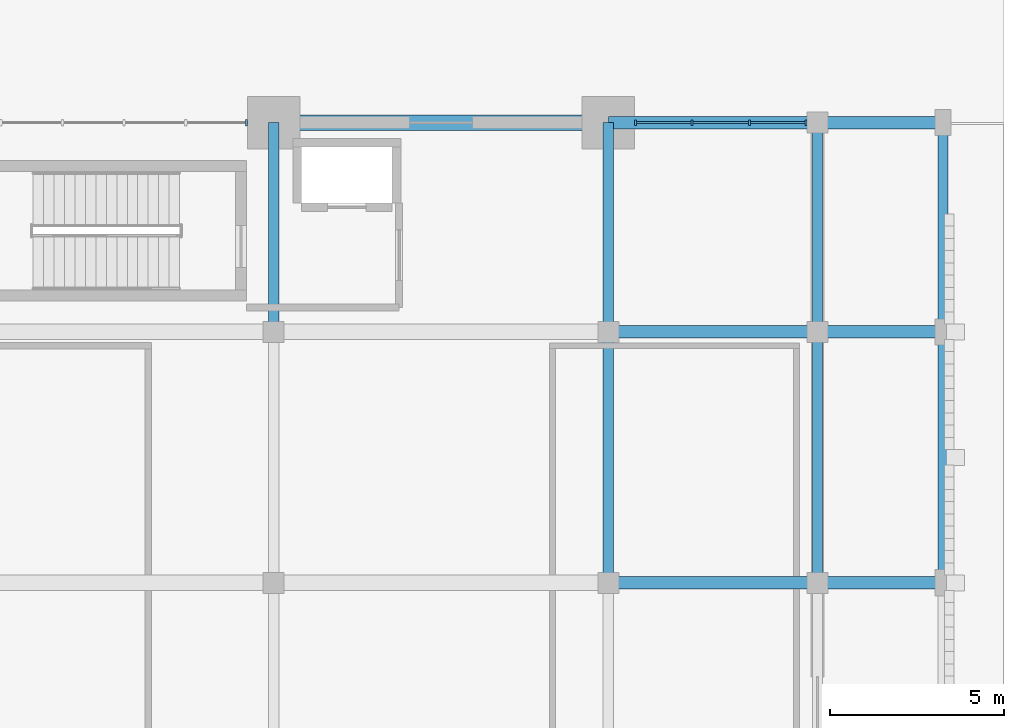
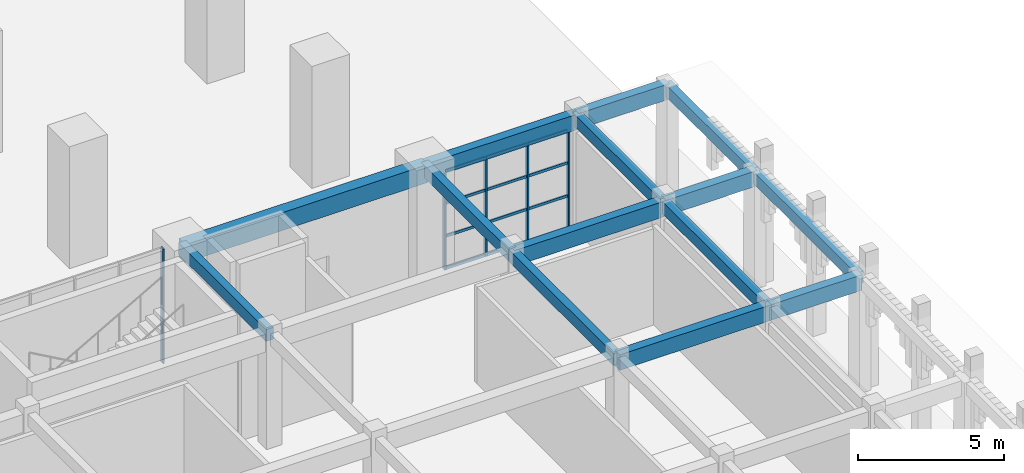
# One storey, part 20 of 72: 17 members, 14 beams, 2 elements without a shape of their own.
"""IFC4 building model written with IfcOpenShell, lengths in metres."""

import ifcopenshell
import ifcopenshell.guid

model = None  # the IFC model being written
_history = None  # IfcOwnerHistory: only IFC2X3 demands one
_inside = {}  # id of a spatial element -> (the spatial element, [elements in it])
_under = {}  # id of a project, library or spatial element -> (it, [spatial elements below it])
_declared = {}  # id of a project -> (the project, [libraries it declares])
_typed = {}  # id of a type object -> (the type object, [elements of that type])
_made_of = {}  # id of a material, layer set ... -> (it, [elements and type objects made of it])


def new_model(schema):
    """Start an empty IFC model of exactly this schema.

    Asked for "IFC4X3", IfcOpenShell would pick the latest addendum, in which some entities
    have other attributes; the version numbers below select the first issue.
    IFC2X3 requires an IfcOwnerHistory on every rooted entity: one is made here for all.
    """
    global model, _history
    if schema == "IFC4X3":
        model = ifcopenshell.file(schema_version=(4, 3, 0, 0))
    else:
        model = ifcopenshell.file(schema=schema)
    _inside.clear()
    _under.clear()
    _declared.clear()
    _typed.clear()
    _made_of.clear()
    _history = None
    if model.schema == "IFC2X3":
        org = make("IfcOrganization", Name="unknown")
        user = make(
            "IfcPersonAndOrganization",
            ThePerson=make("IfcPerson", FamilyName="unknown"),
            TheOrganization=org,
        )
        app = make(
            "IfcApplication",
            ApplicationDeveloper=org,
            Version="unknown",
            ApplicationFullName="unknown",
            ApplicationIdentifier="unknown",
        )
        _history = make(
            "IfcOwnerHistory",
            OwningUser=user,
            OwningApplication=app,
            ChangeAction="ADDED",
            CreationDate=0,
        )
    return model


def make(cls, **values):
    """One entity of the class cls with the attributes given. An attribute that is None is left unset."""
    return model.create_entity(
        cls, **{name: value for name, value in values.items() if value is not None}
    )


def rooted(cls, **values):
    """An entity with a GlobalId (a new one), such as an element, a storey or a relation."""
    return make(cls, GlobalId=ifcopenshell.guid.new(), OwnerHistory=_history, **values)


def si_unit(unit_type, name, prefix=None):
    """IfcSIUnit, for example si_unit("LENGTHUNIT", "METRE", prefix="MILLI")."""
    return make("IfcSIUnit", UnitType=unit_type, Prefix=prefix, Name=name)


def assignment(units):
    """IfcUnitAssignment: the units of a project."""
    return None if units is None else make("IfcUnitAssignment", Units=units)


def point(xyz):
    """IfcCartesianPoint."""
    return None if xyz is None else make("IfcCartesianPoint", Coordinates=xyz)


def direction(xyz):
    """IfcDirection."""
    return None if xyz is None else make("IfcDirection", DirectionRatios=xyz)


def frame(location, z_axis=None, x_axis=None):
    """IfcAxis2Placement3D, a coordinate frame: its origin and axes. An axis left out is left unset."""
    return make(
        "IfcAxis2Placement3D",
        Location=point(location),
        Axis=direction(z_axis),
        RefDirection=direction(x_axis),
    )


def frame_2d(location, x_axis=None):
    """IfcAxis2Placement2D, a coordinate frame in the plane: its origin and x axis."""
    return make(
        "IfcAxis2Placement2D", Location=point(location), RefDirection=direction(x_axis)
    )


def origin():
    """The frame at (0, 0, 0) with its axes left unset."""
    return frame((0.0, 0.0, 0.0))


def origin_2d():
    """The frame at (0, 0) in the plane with its x axis left unset."""
    return frame_2d((0.0, 0.0))


def place(relative_to, where):
    """IfcLocalPlacement: puts the frame where relative to a parent placement (None: the world)."""
    return make(
        "IfcLocalPlacement", PlacementRelTo=relative_to, RelativePlacement=where
    )


def context(
    kind, dimensions, precision=None, world=None, true_north=None, identifier=None
):
    """IfcGeometricRepresentationContext, for example the 3D "Model" context."""
    return make(
        "IfcGeometricRepresentationContext",
        ContextIdentifier=identifier,
        ContextType=kind,
        CoordinateSpaceDimension=dimensions,
        Precision=precision,
        WorldCoordinateSystem=world,
        TrueNorth=true_north,
    )


def subcontext(parent, identifier, kind, view, scale=None):
    """IfcGeometricRepresentationSubContext, for example "Body" below "Model"."""
    return make(
        "IfcGeometricRepresentationSubContext",
        ContextIdentifier=identifier,
        ContextType=kind,
        ParentContext=parent,
        TargetScale=scale,
        TargetView=view,
    )


def project(units=None, contexts=None):
    """IfcProject with its units and contexts."""
    return rooted(
        "IfcProject",
        Name="project",
        RepresentationContexts=contexts,
        UnitsInContext=assignment(units),
    )


def spatial(cls, under=None, at=None, **own):
    """A site, building, storey or space (cls), placed at a placement, below another one or the project."""
    s = rooted(cls, ObjectPlacement=at, **own)
    if under is not None:
        _under.setdefault(under.id(), (under, []))[1].append(s)
    return s


def profile(cls, at=None, kind="AREA", **sizes):
    """A parametric profile (cls). Its sizes go by their IFC names, for example OverallWidth=200.0."""
    return make(cls, ProfileType=kind, Position=at, **sizes)


def rectangle(**sizes):
    """IfcRectangleProfileDef."""
    return profile("IfcRectangleProfileDef", **sizes)


def extrude(swept, where, along, depth):
    """IfcExtrudedAreaSolid: the profile swept, set in the frame where, extruded along a direction by depth."""
    return make(
        "IfcExtrudedAreaSolid",
        SweptArea=swept,
        Position=where,
        ExtrudedDirection=direction(along),
        Depth=depth,
    )


def shape(context_of_items, identifier, shape_type, items):
    """IfcShapeRepresentation: the items that make up one representation, for example the "Body"."""
    return make(
        "IfcShapeRepresentation",
        ContextOfItems=context_of_items,
        RepresentationIdentifier=identifier,
        RepresentationType=shape_type,
        Items=items,
    )


def material(Name=None, Category=None):
    """IfcMaterial."""
    return make("IfcMaterial", Name=Name, Category=Category)


def material_profile(
    of_material, cross_section, Name=None, Category=None, Priority=None
):
    """IfcMaterialProfile: a cross section and its material."""
    return make(
        "IfcMaterialProfile",
        Name=Name,
        Material=of_material,
        Profile=cross_section,
        Priority=Priority,
        Category=Category,
    )


def profile_set(profiles, Name=None, composite=None):
    """IfcMaterialProfileSet."""
    return make(
        "IfcMaterialProfileSet",
        Name=Name,
        MaterialProfiles=profiles,
        CompositeProfile=composite,
    )


def made_of(thing, what):
    """Note that an element or type object is made of a material, layer set ...; save() writes the relation."""
    if what is not None:
        _made_of.setdefault(what.id(), (what, []))[1].append(thing)
    return thing


def type_object(cls, material=None, **own):
    """A type object (cls), such as IfcWallType, which elements share."""
    return made_of(rooted(cls, **own), material)


def element(
    cls,
    number,
    at=None,
    inside=None,
    cuts=None,
    type_object=None,
    material=None,
    context=None,
    identifier="Body",
    shape_type=None,
    held_by="IfcProductDefinitionShape",
    body=None,
    shapes=None,
    **own,
):
    """One element of the class cls, such as IfcWall. Its Tag is "e" and its number.

    at: its placement. inside: the storey or other place that contains it. cuts: it is an
    opening in that element (IfcRelVoidsElement). A single representation is given by context,
    identifier, shape_type and body (its items); several are given by shapes. held_by: the class
    of the entity that holds the representations. save() writes the other relations.
    """
    e = rooted(cls, Tag="e%d" % number, ObjectPlacement=at, **own)
    if body is not None:
        shapes = [shape(context, identifier, shape_type, body)]
    if shapes is not None:
        e.Representation = make(held_by, Representations=shapes)
    if inside is not None:
        _inside.setdefault(inside.id(), (inside, []))[1].append(e)
    if cuts is not None:
        rooted(
            "IfcRelVoidsElement", RelatingBuildingElement=cuts, RelatedOpeningElement=e
        )
    if type_object is not None:
        _typed.setdefault(type_object.id(), (type_object, []))[1].append(e)
    return made_of(e, material)


def aggregate(whole, parts):
    """IfcRelAggregates: a whole, such as a stair, and the parts it consists of."""
    return rooted("IfcRelAggregates", RelatingObject=whole, RelatedObjects=parts)


def save(model, path):
    """Write the relations noted so far, then the file.

    IfcRelAggregates (storeys below a building ...), IfcRelContainedInSpatialStructure (elements
    in a storey), IfcRelDefinesByType, IfcRelAssociatesMaterial and IfcRelDeclares: one each for
    every whole, place, type object, material and project.
    """
    for whole, parts in _under.values():
        aggregate(whole, parts)
    for where, things in _inside.values():
        rooted(
            "IfcRelContainedInSpatialStructure",
            RelatedElements=things,
            RelatingStructure=where,
        )
    for kind, things in _typed.values():
        rooted("IfcRelDefinesByType", RelatedObjects=things, RelatingType=kind)
    for what, things in _made_of.values():
        rooted("IfcRelAssociatesMaterial", RelatedObjects=things, RelatingMaterial=what)
    for by, libraries in _declared.values():
        rooted("IfcRelDeclares", RelatingContext=by, RelatedDefinitions=libraries)
    model.write(path)


model = new_model("IFC4")

# Units and contexts
model_context = context("Model", 3, precision=1e-05, world=origin(), true_north=direction((0.0, 1.0)))
body_context = subcontext(model_context, "Body", "Model", "MODEL_VIEW")
ifc_project = project(units=[si_unit("LENGTHUNIT", "METRE"), si_unit("AREAUNIT", "SQUARE_METRE"), si_unit("VOLUMEUNIT", "CUBIC_METRE"), si_unit("PLANEANGLEUNIT", "RADIAN"), si_unit("MASSUNIT", "GRAM", prefix="KILO")], contexts=[model_context])

# Site, building, storey
site_placement = place(None, origin())
site = spatial("IfcSite", under=ifc_project, at=site_placement, CompositionType="ELEMENT")
building_placement = place(site_placement, origin())
building = spatial("IfcBuilding", under=site, at=building_placement, Name="Nzembalo Square Collegiate School", CompositionType="ELEMENT")
storey_placement = place(building_placement, origin())
storey = spatial("IfcBuildingStorey", under=building, at=storey_placement, Name="L00", CompositionType="ELEMENT", Elevation=0.0)

# Beams
ifc_material_1 = material(Name="Concrete C35/45", Category="concrete")
ifc_material_profile_1 = material_profile(ifc_material_1, rectangle(XDim=0.35009765625, YDim=0.64990234375, at=origin_2d()), Name="RC 350x650")
ifc_profile_set_1 = profile_set([ifc_material_profile_1], Name="Concrete C35/45")
beam_type_1 = type_object("IfcBeamType", Name="B01", PredefinedType="BEAM", material=ifc_profile_set_1)
beam_1_placement = place(storey_placement, frame((159.60009765625, 37.199951171875, 4.465087890625), z_axis=(1.0, 0.0, 0.0), x_axis=(0.0, 1.0, 0.0)))
element("IfcBeam", 1, at=beam_1_placement, inside=storey, type_object=beam_type_1, Name="Beam B01 L00", PredefinedType="BEAM", context=body_context, shape_type="SweptSolid", body=[
    extrude(rectangle(XDim=0.35009765625, YDim=0.64990234375, at=origin_2d()), origin(), (0.0, 0.0, 1.0), 6.0),
])
beam_2_placement = place(storey_placement, frame((165.60009765625, 37.199951171875, 4.465087890625), z_axis=(1.0, 0.0, 0.0), x_axis=(0.0, 1.0, 0.0)))
element("IfcBeam", 2, at=beam_2_placement, inside=storey, type_object=beam_type_1, Name="Beam B01 L00", PredefinedType="BEAM", context=body_context, shape_type="SweptSolid", body=[
    extrude(rectangle(XDim=0.35009765625, YDim=0.64990234375, at=origin_2d()), origin(), (0.0, 0.0, 1.0), 3.599853515625),
])
beam_3_placement = place(storey_placement, frame((159.60009765625, 44.39990234375, 4.465087890625), z_axis=(1.0, 0.0, 0.0), x_axis=(0.0, 1.0, 0.0)))
element("IfcBeam", 3, at=beam_3_placement, inside=storey, type_object=beam_type_1, Name="Beam B01 L00", PredefinedType="BEAM", context=body_context, shape_type="SweptSolid", body=[
    extrude(rectangle(XDim=0.35009765625, YDim=0.64990234375, at=origin_2d()), origin(), (0.0, 0.0, 1.0), 6.0),
])
beam_4_placement = place(storey_placement, frame((165.60009765625, 44.39990234375, 4.465087890625), z_axis=(1.0, 0.0, 0.0), x_axis=(0.0, 1.0, 0.0)))
element("IfcBeam", 4, at=beam_4_placement, inside=storey, type_object=beam_type_1, Name="Beam B01 L00", PredefinedType="BEAM", context=body_context, shape_type="SweptSolid", body=[
    extrude(rectangle(XDim=0.35009765625, YDim=0.64990234375, at=origin_2d()), origin(), (0.0, 0.0, 1.0), 3.599853515625),
])
beam_5_placement = place(storey_placement, frame((159.60009765625, 50.39990234375, 4.465087890625), z_axis=(1.0, 0.0, 0.0), x_axis=(0.0, 1.0, 0.0)))
element("IfcBeam", 5, at=beam_5_placement, inside=storey, type_object=beam_type_1, Name="Beam B01 L00", PredefinedType="BEAM", context=body_context, shape_type="SweptSolid", body=[
    extrude(rectangle(XDim=0.35009765625, YDim=0.64990234375, at=origin_2d()), origin(), (0.0, 0.0, 1.0), 6.0),
])
beam_6_placement = place(storey_placement, frame((165.60009765625, 50.39990234375, 4.465087890625), z_axis=(1.0, 0.0, 0.0), x_axis=(0.0, 1.0, 0.0)))
element("IfcBeam", 6, at=beam_6_placement, inside=storey, type_object=beam_type_1, Name="Beam B01 L00", PredefinedType="BEAM", context=body_context, shape_type="SweptSolid", body=[
    extrude(rectangle(XDim=0.35009765625, YDim=0.64990234375, at=origin_2d()), origin(), (0.0, 0.0, 1.0), 3.599853515625),
])
ifc_material_2 = material(Name="Concrete C35/45", Category="concrete")
ifc_material_profile_2 = material_profile(ifc_material_2, rectangle(XDim=0.300048828125, YDim=0.5, at=origin_2d()), Name="RC 300x500")
ifc_profile_set_2 = profile_set([ifc_material_profile_2], Name="Concrete C35/45")
beam_type_2 = type_object("IfcBeamType", Name="B02", PredefinedType="BEAM", material=ifc_profile_set_2)
beam_7_placement = place(storey_placement, frame((150.0, 44.39990234375, 4.5400390625), z_axis=(0.0, 1.0, 0.0), x_axis=(-1.0, 0.0, 0.0)))
element("IfcBeam", 7, at=beam_7_placement, inside=storey, type_object=beam_type_2, Name="Beam B02 L00", PredefinedType="BEAM", context=body_context, shape_type="SweptSolid", body=[
    extrude(rectangle(XDim=0.300048828125, YDim=0.5, at=origin_2d()), origin(), (0.0, 0.0, 1.0), 6.0),
])
beam_8_placement = place(storey_placement, frame((159.60009765625, 37.199951171875, 4.5400390625), z_axis=(0.0, 1.0, 0.0), x_axis=(-1.0, 0.0, 0.0)))
element("IfcBeam", 8, at=beam_8_placement, inside=storey, type_object=beam_type_2, Name="Beam B02 L00", PredefinedType="BEAM", context=body_context, shape_type="SweptSolid", body=[
    extrude(rectangle(XDim=0.300048828125, YDim=0.5, at=origin_2d()), origin(), (0.0, 0.0, 1.0), 7.199951171875),
])
beam_9_placement = place(storey_placement, frame((159.60009765625, 44.39990234375, 4.5400390625), z_axis=(0.0, 1.0, 0.0), x_axis=(-1.0, 0.0, 0.0)))
element("IfcBeam", 9, at=beam_9_placement, inside=storey, type_object=beam_type_2, Name="Beam B02 L00", PredefinedType="BEAM", context=body_context, shape_type="SweptSolid", body=[
    extrude(rectangle(XDim=0.300048828125, YDim=0.5, at=origin_2d()), origin(), (0.0, 0.0, 1.0), 6.0),
])
ifc_material_3 = material(Name="Concrete C35/45", Category="concrete")
ifc_material_profile_3 = material_profile(ifc_material_3, rectangle(XDim=0.300048828125, YDim=0.5, at=origin_2d()), Name="RC 300x500")
ifc_profile_set_3 = profile_set([ifc_material_profile_3], Name="Concrete C35/45")
beam_type_3 = type_object("IfcBeamType", Name="SP01", PredefinedType="SPANDREL", material=ifc_profile_set_3)
beam_10_placement = place(storey_placement, frame((165.60009765625, 37.199951171875, 4.5400390625), z_axis=(0.0, 1.0, 0.0), x_axis=(-1.0, 0.0, 0.0)))
element("IfcBeam", 10, at=beam_10_placement, inside=storey, type_object=beam_type_3, Name="Beam SP01 L00", PredefinedType="SPANDREL", context=body_context, shape_type="SweptSolid", body=[
    extrude(rectangle(XDim=0.300048828125, YDim=0.5, at=origin_2d()), origin(), (0.0, 0.0, 1.0), 7.199951171875),
])
beam_11_placement = place(storey_placement, frame((165.60009765625, 44.39990234375, 4.5400390625), z_axis=(0.0, 1.0, 0.0), x_axis=(-1.0, 0.0, 0.0)))
element("IfcBeam", 11, at=beam_11_placement, inside=storey, type_object=beam_type_3, Name="Beam SP01 L00", PredefinedType="SPANDREL", context=body_context, shape_type="SweptSolid", body=[
    extrude(rectangle(XDim=0.300048828125, YDim=0.5, at=origin_2d()), origin(), (0.0, 0.0, 1.0), 6.0),
])
beam_12_placement = place(storey_placement, frame((169.199951171875, 37.199951171875, 4.5400390625), z_axis=(0.0, 1.0, 0.0), x_axis=(-1.0, 0.0, 0.0)))
element("IfcBeam", 12, at=beam_12_placement, inside=storey, type_object=beam_type_3, Name="Beam SP01 L00", PredefinedType="SPANDREL", context=body_context, shape_type="SweptSolid", body=[
    extrude(rectangle(XDim=0.300048828125, YDim=0.5, at=origin_2d()), origin(), (0.0, 0.0, 1.0), 7.199951171875),
])
beam_13_placement = place(storey_placement, frame((169.199951171875, 44.39990234375, 4.5400390625), z_axis=(0.0, 1.0, 0.0), x_axis=(-1.0, 0.0, 0.0)))
element("IfcBeam", 13, at=beam_13_placement, inside=storey, type_object=beam_type_3, Name="Beam SP01 L00", PredefinedType="SPANDREL", context=body_context, shape_type="SweptSolid", body=[
    extrude(rectangle(XDim=0.300048828125, YDim=0.5, at=origin_2d()), origin(), (0.0, 0.0, 1.0), 6.0),
])
ifc_material_4 = material(Name="Concrete C35/45", Category="concrete")
ifc_material_profile_4 = material_profile(ifc_material_4, rectangle(XDim=0.449951171875, YDim=0.75, at=origin_2d()), Name="RC 450x750")
ifc_profile_set_4 = profile_set([ifc_material_profile_4], Name="Concrete C35/45")
beam_type_4 = type_object("IfcBeamType", Name="TG01", PredefinedType="BEAM", material=ifc_profile_set_4)
beam_14_placement = place(storey_placement, frame((150.0, 50.39990234375, 4.4150390625), z_axis=(1.0, 0.0, 0.0), x_axis=(0.0, 1.0, 0.0)))
element("IfcBeam", 14, at=beam_14_placement, inside=storey, type_object=beam_type_4, Name="Beam TG01 L00", PredefinedType="BEAM", context=body_context, shape_type="SweptSolid", body=[
    extrude(rectangle(XDim=0.449951171875, YDim=0.75, at=origin_2d()), origin(), (0.0, 0.0, 1.0), 9.60009765625),
])

# Curtain wall, member
ifc_material_5 = material(Name="Aluminium 6060-T66", Category="aluminium")
curtain_wall_type_1 = type_object("IfcCurtainWallType", Name="CW-09", PredefinedType="USERDEFINED", material=ifc_material_5)
curtain_wall_1_placement = place(storey_placement, origin())
curtain_wall_1 = element("IfcCurtainWall", 15, at=curtain_wall_1_placement, inside=storey, type_object=curtain_wall_type_1, Name="Curtain wall CW-09 cw:L00:016", ObjectType="UNITISED", PredefinedType="USERDEFINED")
ifc_material_6 = material(Name="Aluminium 6060-T66", Category="aluminium")
ifc_material_profile_5 = material_profile(ifc_material_6, rectangle(XDim=0.06005859375, YDim=0.179931640625, at=origin_2d()), Name="ALU M60x180")
ifc_profile_set_5 = profile_set([ifc_material_profile_5], Name="Aluminium 6060-T66")
member_type_1 = type_object("IfcMemberType", Name="ML01", PredefinedType="MULLION", material=ifc_profile_set_5)
member_1_placement = place(storey_placement, frame((149.218017578125, 50.39990234375, 0.0), z_axis=(0.0, 0.0, 1.0), x_axis=(1.0, 0.0, 0.0)))
member_1 = element("IfcMember", 16, at=member_1_placement, type_object=member_type_1, Name="ML01 mullion 6", PredefinedType="MULLION", context=body_context, shape_type="SweptSolid", body=[
    extrude(rectangle(XDim=0.06005859375, YDim=0.179931640625, at=origin_2d()), origin(), (0.0, 0.0, 1.0), 4.7939453125),
])
aggregate(curtain_wall_1, [member_1])

# Curtain wall, members
ifc_material_7 = material(Name="Aluminium 6060-T66", Category="aluminium")
curtain_wall_type_2 = type_object("IfcCurtainWallType", Name="CW-14", PredefinedType="USERDEFINED", material=ifc_material_7)
curtain_wall_2_placement = place(storey_placement, origin())
curtain_wall_2 = element("IfcCurtainWall", 17, at=curtain_wall_2_placement, inside=storey, type_object=curtain_wall_type_2, Name="Curtain wall CW-14 cw:L00:017", ObjectType="UNITISED", PredefinedType="USERDEFINED")
ifc_material_8 = material(Name="Aluminium 6060-T66", Category="aluminium")
ifc_material_profile_6 = material_profile(ifc_material_8, rectangle(XDim=0.06005859375, YDim=0.14990234375, at=origin_2d()), Name="ALU M60x150")
ifc_profile_set_6 = profile_set([ifc_material_profile_6], Name="Aluminium 6060-T66")
member_type_2 = type_object("IfcMemberType", Name="ML02", PredefinedType="MULLION", material=ifc_profile_set_6)
member_2_placement = place(storey_placement, frame((160.382080078125, 50.39990234375, 0.0), z_axis=(0.0, 0.0, 1.0), x_axis=(1.0, 0.0, 0.0)))
member_2 = element("IfcMember", 18, at=member_2_placement, type_object=member_type_2, Name="ML02 mullion 1", PredefinedType="MULLION", context=body_context, shape_type="SweptSolid", body=[
    extrude(rectangle(XDim=0.06005859375, YDim=0.14990234375, at=origin_2d()), origin(), (0.0, 0.0, 1.0), 4.134033203125),
])
member_3_placement = place(storey_placement, frame((162.000732421875, 50.39990234375, 0.0), z_axis=(0.0, 0.0, 1.0), x_axis=(1.0, 0.0, 0.0)))
member_3 = element("IfcMember", 19, at=member_3_placement, type_object=member_type_2, Name="ML02 mullion 2", PredefinedType="MULLION", context=body_context, shape_type="SweptSolid", body=[
    extrude(rectangle(XDim=0.06005859375, YDim=0.14990234375, at=origin_2d()), origin(), (0.0, 0.0, 1.0), 4.134033203125),
])
member_4_placement = place(storey_placement, frame((163.6494140625, 50.39990234375, 0.0), z_axis=(0.0, 0.0, 1.0), x_axis=(1.0, 0.0, 0.0)))
member_4 = element("IfcMember", 20, at=member_4_placement, type_object=member_type_2, Name="ML02 mullion 3", PredefinedType="MULLION", context=body_context, shape_type="SweptSolid", body=[
    extrude(rectangle(XDim=0.06005859375, YDim=0.14990234375, at=origin_2d()), origin(), (0.0, 0.0, 1.0), 4.134033203125),
])
member_5_placement = place(storey_placement, frame((165.26806640625, 50.39990234375, 0.0), z_axis=(0.0, 0.0, 1.0), x_axis=(1.0, 0.0, 0.0)))
member_5 = element("IfcMember", 21, at=member_5_placement, type_object=member_type_2, Name="ML02 mullion 4", PredefinedType="MULLION", context=body_context, shape_type="SweptSolid", body=[
    extrude(rectangle(XDim=0.06005859375, YDim=0.14990234375, at=origin_2d()), origin(), (0.0, 0.0, 1.0), 4.134033203125),
])
ifc_material_9 = material(Name="Aluminium 6060-T66", Category="aluminium")
ifc_material_profile_7 = material_profile(ifc_material_9, rectangle(XDim=0.06005859375, YDim=0.110107421875, at=origin_2d()), Name="ALU T60x110")
ifc_profile_set_7 = profile_set([ifc_material_profile_7], Name="Aluminium 6060-T66")
member_type_3 = type_object("IfcMemberType", Name="TR02", PredefinedType="USERDEFINED", material=ifc_profile_set_7)
member_6_placement = place(storey_placement, frame((160.412109375, 50.39990234375, 0.030029296875), z_axis=(1.0, 0.0, 0.0), x_axis=(0.0, 1.0, 0.0)))
member_6 = element("IfcMember", 22, at=member_6_placement, type_object=member_type_3, Name="TR02 transom 1-1", ObjectType="TRANSOM", PredefinedType="USERDEFINED", context=body_context, shape_type="SweptSolid", body=[
    extrude(rectangle(XDim=0.06005859375, YDim=0.110107421875, at=origin_2d()), origin(), (0.0, 0.0, 1.0), 1.55859375),
])
member_7_placement = place(storey_placement, frame((162.03076171875, 50.39990234375, 0.030029296875), z_axis=(1.0, 0.0, 0.0), x_axis=(0.0, 1.0, 0.0)))
member_7 = element("IfcMember", 23, at=member_7_placement, type_object=member_type_3, Name="TR02 transom 1-2", ObjectType="TRANSOM", PredefinedType="USERDEFINED", context=body_context, shape_type="SweptSolid", body=[
    extrude(rectangle(XDim=0.06005859375, YDim=0.110107421875, at=origin_2d()), origin(), (0.0, 0.0, 1.0), 1.588623046875),
])
member_8_placement = place(storey_placement, frame((163.679443359375, 50.39990234375, 0.030029296875), z_axis=(1.0, 0.0, 0.0), x_axis=(0.0, 1.0, 0.0)))
member_8 = element("IfcMember", 24, at=member_8_placement, type_object=member_type_3, Name="TR02 transom 1-3", ObjectType="TRANSOM", PredefinedType="USERDEFINED", context=body_context, shape_type="SweptSolid", body=[
    extrude(rectangle(XDim=0.06005859375, YDim=0.110107421875, at=origin_2d()), origin(), (0.0, 0.0, 1.0), 1.55859375),
])
member_9_placement = place(storey_placement, frame((160.412109375, 50.39990234375, 1.3779296875), z_axis=(1.0, 0.0, 0.0), x_axis=(0.0, 1.0, 0.0)))
member_9 = element("IfcMember", 25, at=member_9_placement, type_object=member_type_3, Name="TR02 transom 2-1", ObjectType="TRANSOM", PredefinedType="USERDEFINED", context=body_context, shape_type="SweptSolid", body=[
    extrude(rectangle(XDim=0.06005859375, YDim=0.110107421875, at=origin_2d()), origin(), (0.0, 0.0, 1.0), 1.55859375),
])
member_10_placement = place(storey_placement, frame((162.03076171875, 50.39990234375, 1.3779296875), z_axis=(1.0, 0.0, 0.0), x_axis=(0.0, 1.0, 0.0)))
member_10 = element("IfcMember", 26, at=member_10_placement, type_object=member_type_3, Name="TR02 transom 2-2", ObjectType="TRANSOM", PredefinedType="USERDEFINED", context=body_context, shape_type="SweptSolid", body=[
    extrude(rectangle(XDim=0.06005859375, YDim=0.110107421875, at=origin_2d()), origin(), (0.0, 0.0, 1.0), 1.588623046875),
])
member_11_placement = place(storey_placement, frame((163.679443359375, 50.39990234375, 1.3779296875), z_axis=(1.0, 0.0, 0.0), x_axis=(0.0, 1.0, 0.0)))
member_11 = element("IfcMember", 27, at=member_11_placement, type_object=member_type_3, Name="TR02 transom 2-3", ObjectType="TRANSOM", PredefinedType="USERDEFINED", context=body_context, shape_type="SweptSolid", body=[
    extrude(rectangle(XDim=0.06005859375, YDim=0.110107421875, at=origin_2d()), origin(), (0.0, 0.0, 1.0), 1.55859375),
])
member_12_placement = place(storey_placement, frame((160.412109375, 50.39990234375, 2.756103515625), z_axis=(1.0, 0.0, 0.0), x_axis=(0.0, 1.0, 0.0)))
member_12 = element("IfcMember", 28, at=member_12_placement, type_object=member_type_3, Name="TR02 transom 3-1", ObjectType="TRANSOM", PredefinedType="USERDEFINED", context=body_context, shape_type="SweptSolid", body=[
    extrude(rectangle(XDim=0.06005859375, YDim=0.110107421875, at=origin_2d()), origin(), (0.0, 0.0, 1.0), 1.55859375),
])
member_13_placement = place(storey_placement, frame((162.03076171875, 50.39990234375, 2.756103515625), z_axis=(1.0, 0.0, 0.0), x_axis=(0.0, 1.0, 0.0)))
member_13 = element("IfcMember", 29, at=member_13_placement, type_object=member_type_3, Name="TR02 transom 3-2", ObjectType="TRANSOM", PredefinedType="USERDEFINED", context=body_context, shape_type="SweptSolid", body=[
    extrude(rectangle(XDim=0.06005859375, YDim=0.110107421875, at=origin_2d()), origin(), (0.0, 0.0, 1.0), 1.588623046875),
])
member_14_placement = place(storey_placement, frame((163.679443359375, 50.39990234375, 2.756103515625), z_axis=(1.0, 0.0, 0.0), x_axis=(0.0, 1.0, 0.0)))
member_14 = element("IfcMember", 30, at=member_14_placement, type_object=member_type_3, Name="TR02 transom 3-3", ObjectType="TRANSOM", PredefinedType="USERDEFINED", context=body_context, shape_type="SweptSolid", body=[
    extrude(rectangle(XDim=0.06005859375, YDim=0.110107421875, at=origin_2d()), origin(), (0.0, 0.0, 1.0), 1.55859375),
])
member_15_placement = place(storey_placement, frame((160.412109375, 50.39990234375, 4.10400390625), z_axis=(1.0, 0.0, 0.0), x_axis=(0.0, 1.0, 0.0)))
member_15 = element("IfcMember", 31, at=member_15_placement, type_object=member_type_3, Name="TR02 transom 4-1", ObjectType="TRANSOM", PredefinedType="USERDEFINED", context=body_context, shape_type="SweptSolid", body=[
    extrude(rectangle(XDim=0.06005859375, YDim=0.110107421875, at=origin_2d()), origin(), (0.0, 0.0, 1.0), 1.55859375),
])
member_16_placement = place(storey_placement, frame((162.03076171875, 50.39990234375, 4.10400390625), z_axis=(1.0, 0.0, 0.0), x_axis=(0.0, 1.0, 0.0)))
member_16 = element("IfcMember", 32, at=member_16_placement, type_object=member_type_3, Name="TR02 transom 4-2", ObjectType="TRANSOM", PredefinedType="USERDEFINED", context=body_context, shape_type="SweptSolid", body=[
    extrude(rectangle(XDim=0.06005859375, YDim=0.110107421875, at=origin_2d()), origin(), (0.0, 0.0, 1.0), 1.588623046875),
])
member_17_placement = place(storey_placement, frame((163.679443359375, 50.39990234375, 4.10400390625), z_axis=(1.0, 0.0, 0.0), x_axis=(0.0, 1.0, 0.0)))
member_17 = element("IfcMember", 33, at=member_17_placement, type_object=member_type_3, Name="TR02 transom 4-3", ObjectType="TRANSOM", PredefinedType="USERDEFINED", context=body_context, shape_type="SweptSolid", body=[
    extrude(rectangle(XDim=0.06005859375, YDim=0.110107421875, at=origin_2d()), origin(), (0.0, 0.0, 1.0), 1.55859375),
])
aggregate(curtain_wall_2, [member_2, member_3, member_4, member_5, member_6, member_7, member_8, member_9, member_10, member_11, member_12, member_13, member_14, member_15, member_16, member_17])

save(model, "model.ifc")
